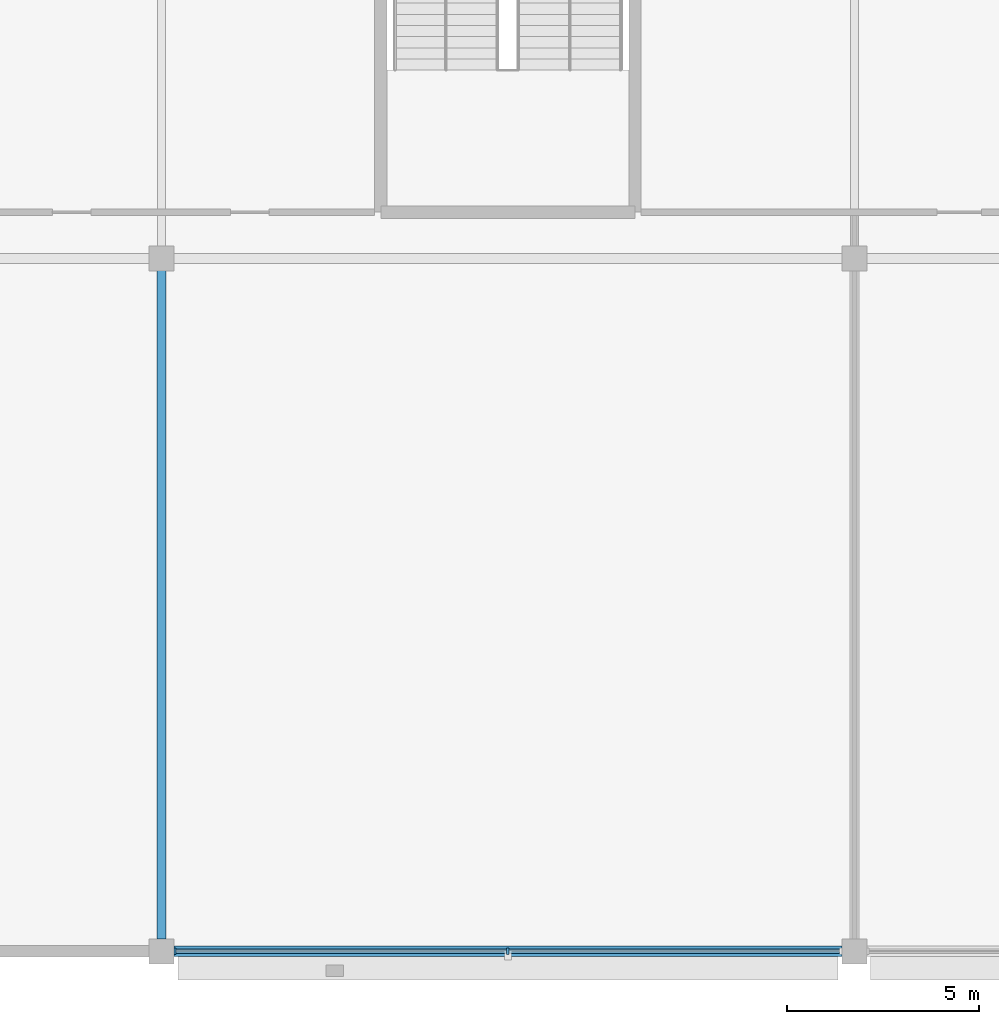
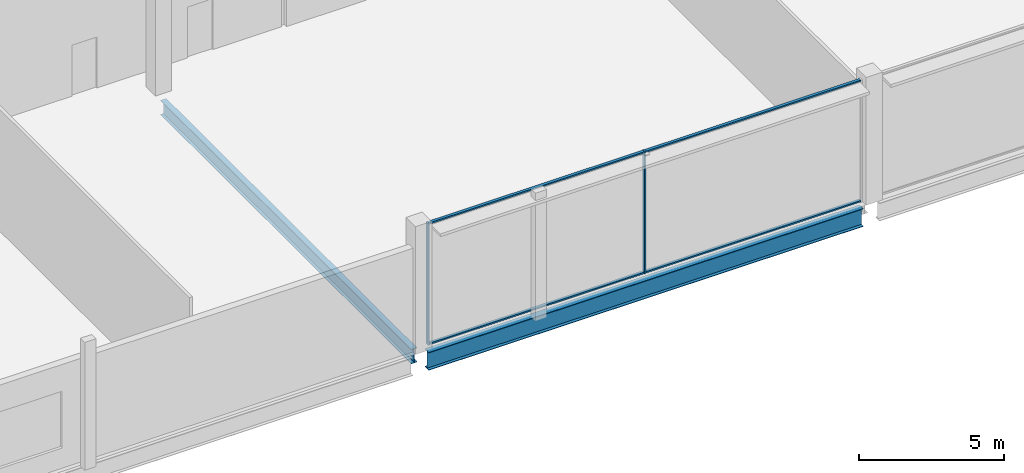
# One storey, part 19 of 111: 6 members, 2 beams, 1 element without a shape of its own.
"""IFC4 building model written with IfcOpenShell, lengths in metres."""

from ifc_helpers import new_model, si_unit, direction, frame, origin, origin_2d, place, context, subcontext, project, spatial, rectangle, i_section, extrude, material, layer, layer_set, material_profile, profile_set, type_object, element, aggregate, save


model = new_model("IFC4")

# Units and contexts
model_context = context("Model", 3, precision=1e-05, world=origin(), true_north=direction((0.0, 1.0)))
body_context = subcontext(model_context, "Body", "Model", "MODEL_VIEW")
ifc_project = project(units=[si_unit("LENGTHUNIT", "METRE"), si_unit("AREAUNIT", "SQUARE_METRE"), si_unit("VOLUMEUNIT", "CUBIC_METRE"), si_unit("PLANEANGLEUNIT", "RADIAN"), si_unit("MASSUNIT", "GRAM", prefix="KILO")], contexts=[model_context])

# Site, building, storey
site_placement = place(None, origin())
site = spatial("IfcSite", under=ifc_project, at=site_placement, CompositionType="ELEMENT")
building_placement = place(site_placement, origin())
building = spatial("IfcBuilding", under=site, at=building_placement, Name="Kisiwana Market Hall", CompositionType="ELEMENT")
storey_placement = place(building_placement, frame((0.0, 0.0, 11.39990234375)))
storey = spatial("IfcBuildingStorey", under=building, at=storey_placement, Name="L02", CompositionType="ELEMENT", Elevation=11.39990234375)

# Beams
ifc_material_1 = material(Name="Steel S355", Category="steel")
ifc_material_profile_1 = material_profile(ifc_material_1, i_section(OverallWidth=0.22900390625, OverallDepth=0.6123046875, WebThickness=0.011962890625, FlangeThickness=0.01953125, at=origin_2d()), Name="UB 610x229x125")
ifc_profile_set_1 = profile_set([ifc_material_profile_1], Name="Steel S355")
beam_type_1 = type_object("IfcBeamType", Name="BM-GIRD-UB610H", PredefinedType="BEAM", material=ifc_profile_set_1)
beam_1_placement = place(storey_placement, frame((81.0, 0.321044921875, -0.555908203125), z_axis=(0.0, 1.0, 0.0), x_axis=(-1.0, 0.0, 0.0)))
element("IfcBeam", 1, at=beam_1_placement, inside=storey, type_object=beam_type_1, Name="Primary girder B-0637", PredefinedType="BEAM", context=body_context, shape_type="SweptSolid", body=[
    extrude(i_section(OverallWidth=0.22900390625, OverallDepth=0.6123046875, WebThickness=0.011962890625, FlangeThickness=0.01953125, at=origin_2d()), origin(), (0.0, 0.0, 1.0), 17.35791015625),
])
ifc_material_2 = material(Name="Steel S355", Category="steel")
ifc_material_profile_2 = material_profile(ifc_material_2, i_section(OverallWidth=0.2666015625, OverallDepth=0.76220703125, WebThickness=0.014404296875, FlangeThickness=0.021484375, at=origin_2d()), Name="UB 762x267x173")
ifc_profile_set_2 = profile_set([ifc_material_profile_2], Name="Steel S355")
beam_type_2 = type_object("IfcBeamType", Name="BM-GIRD-UB762", PredefinedType="BEAM", material=ifc_profile_set_2)
beam_2_placement = place(storey_placement, frame((81.321044921875, 0.0, -0.631103515625), z_axis=(1.0, 0.0, 0.0), x_axis=(0.0, 1.0, 0.0)))
element("IfcBeam", 2, at=beam_2_placement, inside=storey, type_object=beam_type_2, Name="Floor beam B-0725", PredefinedType="BEAM", context=body_context, shape_type="SweptSolid", body=[
    extrude(i_section(OverallWidth=0.2666015625, OverallDepth=0.76220703125, WebThickness=0.014404296875, FlangeThickness=0.021484375, at=origin_2d()), origin(), (0.0, 0.0, 1.0), 17.35791015625),
])

# Curtain wall, members
ifc_material_3 = material(Name="Double-glazed solar-control low-E IGU", Category="glass")
ifc_layer = layer(ifc_material_3, 0.159912109375)
ifc_layer_set = layer_set([ifc_layer], Name="CW-GLD-W-6400")
curtain_wall_type = type_object("IfcCurtainWallType", Name="CW-GLD-W-6400", PredefinedType="USERDEFINED", material=ifc_layer_set)
curtain_wall_placement = place(storey_placement, origin())
curtain_wall = element("IfcCurtainWall", 3, at=curtain_wall_placement, inside=storey, type_object=curtain_wall_type, Name="Unitised curtain wall CW-057 (L02)", ObjectType="UNITISED CURTAIN WALL", PredefinedType="USERDEFINED")
ifc_material_4 = material(Name="Aluminium alloy 6063-T6", Category="aluminium")
ifc_material_profile_3 = material_profile(ifc_material_4, rectangle(XDim=0.06005859375, YDim=0.159912109375, at=origin_2d()), Name="ALU MULLION 60x160")
ifc_profile_set_3 = profile_set([ifc_material_profile_3], Name="Aluminium alloy 6063-T6")
member_type_1 = type_object("IfcMemberType", Name="CW-MULL-60x160", PredefinedType="MULLION", material=ifc_profile_set_3)
member_1_placement = place(storey_placement, frame((81.35498046875, 0.0, 0.0), z_axis=(0.0, 0.0, 1.0), x_axis=(1.0, 0.0, 0.0)))
member_1 = element("IfcMember", 4, at=member_1_placement, type_object=member_type_1, Name="CW-057 mullion 1", PredefinedType="MULLION", context=body_context, shape_type="SweptSolid", body=[
    extrude(rectangle(XDim=0.06005859375, YDim=0.159912109375, at=origin_2d()), origin(), (0.0, 0.0, 1.0), 5.150146484375),
])
member_2_placement = place(storey_placement, frame((90.0, 0.0, 0.0), z_axis=(0.0, 0.0, 1.0), x_axis=(1.0, 0.0, 0.0)))
member_2 = element("IfcMember", 5, at=member_2_placement, type_object=member_type_1, Name="CW-057 mullion 2", PredefinedType="MULLION", context=body_context, shape_type="SweptSolid", body=[
    extrude(rectangle(XDim=0.06005859375, YDim=0.159912109375, at=origin_2d()), origin(), (0.0, 0.0, 1.0), 5.150146484375),
])
ifc_material_5 = material(Name="Aluminium alloy 6063-T6", Category="aluminium")
ifc_material_profile_4 = material_profile(ifc_material_5, rectangle(XDim=0.1201171875, YDim=0.06005859375, at=origin_2d()), Name="ALU TRANSOM 60x120")
ifc_profile_set_4 = profile_set([ifc_material_profile_4], Name="Aluminium alloy 6063-T6")
member_type_2 = type_object("IfcMemberType", Name="CW-TRAN-60x120", PredefinedType="USERDEFINED", material=ifc_profile_set_4)
member_3_placement = place(storey_placement, frame((81.385009765625, 0.0, 0.030029296875), z_axis=(1.0, 0.0, 0.0), x_axis=(0.0, 1.0, 0.0)))
member_3 = element("IfcMember", 6, at=member_3_placement, type_object=member_type_2, Name="CW-057 transom 1.1", ObjectType="TRANSOM", PredefinedType="USERDEFINED", context=body_context, shape_type="SweptSolid", body=[
    extrude(rectangle(XDim=0.1201171875, YDim=0.06005859375, at=origin_2d()), origin(), (0.0, 0.0, 1.0), 8.5849609375),
])
member_4_placement = place(storey_placement, frame((81.385009765625, 0.0, 5.1201171875), z_axis=(1.0, 0.0, 0.0), x_axis=(0.0, 1.0, 0.0)))
member_4 = element("IfcMember", 7, at=member_4_placement, type_object=member_type_2, Name="CW-057 transom 1.2", ObjectType="TRANSOM", PredefinedType="USERDEFINED", context=body_context, shape_type="SweptSolid", body=[
    extrude(rectangle(XDim=0.1201171875, YDim=0.06005859375, at=origin_2d()), origin(), (0.0, 0.0, 1.0), 8.5849609375),
])
member_5_placement = place(storey_placement, frame((90.030029296875, 0.0, 0.030029296875), z_axis=(1.0, 0.0, 0.0), x_axis=(0.0, 1.0, 0.0)))
member_5 = element("IfcMember", 8, at=member_5_placement, type_object=member_type_2, Name="CW-057 transom 2.1", ObjectType="TRANSOM", PredefinedType="USERDEFINED", context=body_context, shape_type="SweptSolid", body=[
    extrude(rectangle(XDim=0.1201171875, YDim=0.06005859375, at=origin_2d()), origin(), (0.0, 0.0, 1.0), 8.5849609375),
])
member_6_placement = place(storey_placement, frame((90.030029296875, 0.0, 5.1201171875), z_axis=(1.0, 0.0, 0.0), x_axis=(0.0, 1.0, 0.0)))
member_6 = element("IfcMember", 9, at=member_6_placement, type_object=member_type_2, Name="CW-057 transom 2.2", ObjectType="TRANSOM", PredefinedType="USERDEFINED", context=body_context, shape_type="SweptSolid", body=[
    extrude(rectangle(XDim=0.1201171875, YDim=0.06005859375, at=origin_2d()), origin(), (0.0, 0.0, 1.0), 8.5849609375),
])
aggregate(curtain_wall, [member_1, member_2, member_3, member_4, member_5, member_6])

save(model, "model.ifc")
